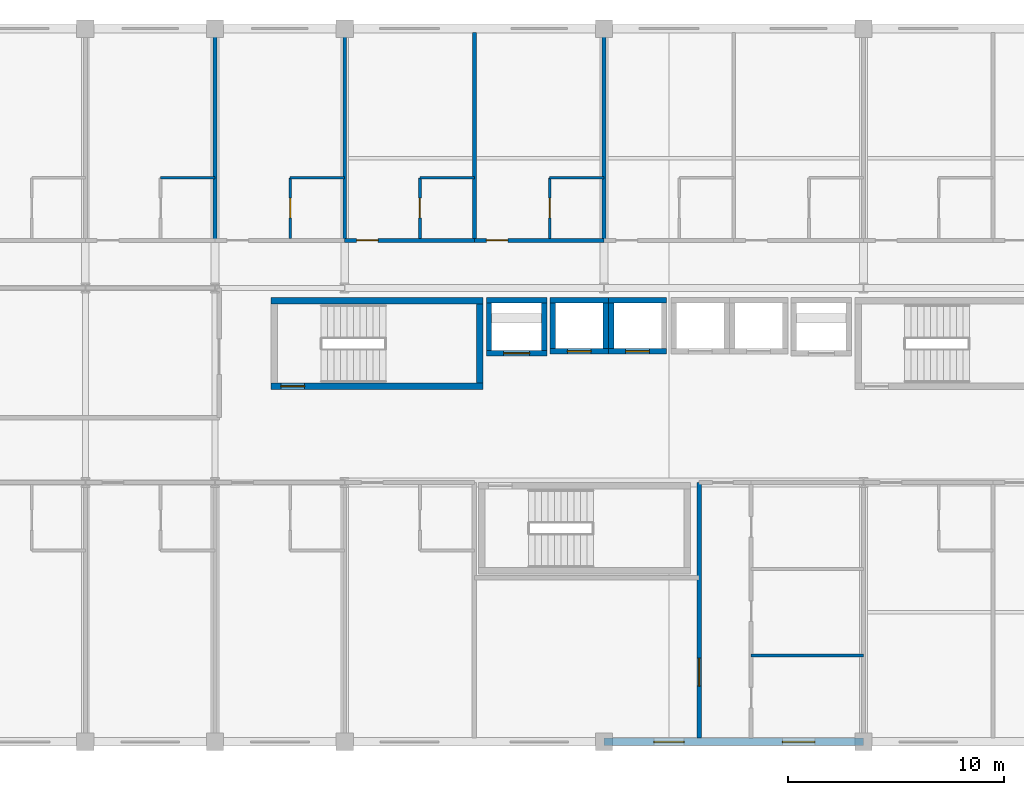
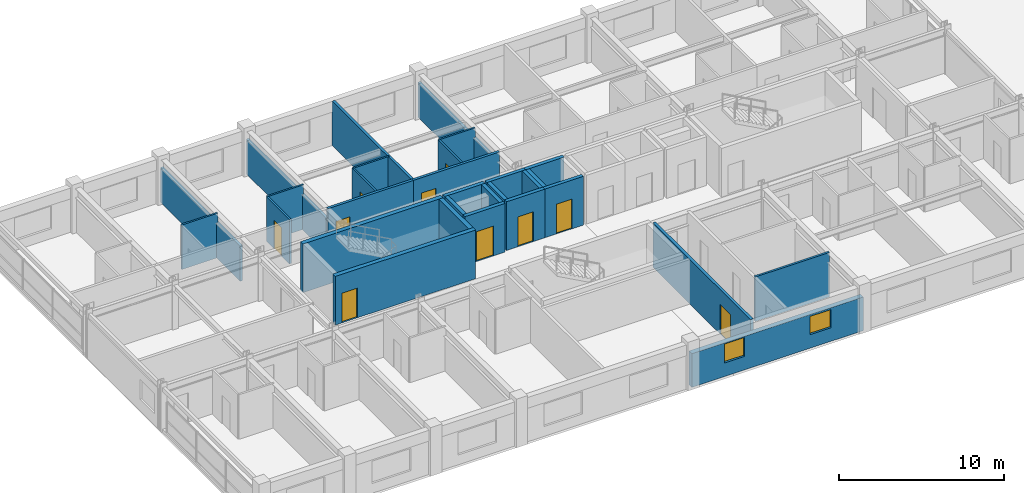
# One storey, part 22 of 27: 30 walls, 10 doors, 2 windows, 12 openings.
"""IFC4 building model written with IfcOpenShell, lengths in metres."""

from ifc_helpers import new_model, si_unit, direction, frame, frame_2d, origin, place, context, subcontext, project, spatial, rectangle, extrude, material, layer, layer_set, type_object, element, fill, save


model = new_model("IFC4")

# Units and contexts
model_context = context("Model", 3, precision=1e-05, world=origin(), true_north=direction((0.0, 1.0)))
body_context = subcontext(model_context, "Body", "Model", "MODEL_VIEW")
ifc_project = project(units=[si_unit("LENGTHUNIT", "METRE"), si_unit("AREAUNIT", "SQUARE_METRE"), si_unit("VOLUMEUNIT", "CUBIC_METRE"), si_unit("PLANEANGLEUNIT", "RADIAN"), si_unit("MASSUNIT", "GRAM", prefix="KILO")], contexts=[model_context])

# Site, building, storey
site_placement = place(None, origin())
site = spatial("IfcSite", under=ifc_project, at=site_placement, CompositionType="ELEMENT")
building_placement = place(site_placement, origin())
building = spatial("IfcBuilding", under=site, at=building_placement, Name="Kaldorvane Square Convention Centre", CompositionType="ELEMENT")
storey_placement = place(building_placement, frame((0.0, 0.0, 38.399993896484375)))
storey = spatial("IfcBuildingStorey", under=building, at=storey_placement, Name="L08", CompositionType="ELEMENT", Elevation=38.399993896484375)

# Wall
ifc_material_1 = material(Name="Fire-Rated Gypsum Board on Acoustic Steel Studs", Category="steel")
ifc_layer_1 = layer(ifc_material_1, 0.125)
ifc_layer_set_1 = layer_set([ifc_layer_1], Name="Fire-Rated Gypsum Board on Acoustic Steel Studs")
wall_type_1 = type_object("IfcWallType", Name="WL-BATH-125", PredefinedType="PARTITIONING", material=ifc_layer_set_1)
wall_1_placement = place(storey_placement, frame((33.47999572753906, 110.10000610351562, 0.0), z_axis=(0.0, 0.0, 1.0), x_axis=(1.0, 0.0, 0.0)))
element("IfcWall", 1, at=wall_1_placement, inside=storey, type_object=wall_type_1, Name="En-Suite 802 North Wall", PredefinedType="PARTITIONING", context=body_context, shape_type="SweptSolid", body=[
    extrude(rectangle(XDim=2.5200042724609375, YDim=0.125, at=frame_2d((1.260009765625, 0.0))), origin(), (0.0, 0.0, 1.0), 3.290008544921875),
])

# Wall, opening, door
wall_2_placement = place(storey_placement, frame((39.47999572753906, 107.28999328613281, 0.0), z_axis=(0.0, 0.0, 1.0), x_axis=(0.0, 1.0, 0.0)))
wall_2 = element("IfcWall", 2, at=wall_2_placement, inside=storey, type_object=wall_type_1, Name="En-Suite 803 West Wall", PredefinedType="PARTITIONING", context=body_context, shape_type="SweptSolid", body=[
    extrude(rectangle(XDim=2.8100128173828125, YDim=0.125, at=frame_2d((1.404998779296875, 0.0))), origin(), (0.0, 0.0, 1.0), 3.290008544921875),
])
opening_1_placement = place(wall_2_placement, frame((0.9499969482421875, 0.0, 0.0)))
opening_1 = element("IfcOpeningElement", 3, at=opening_1_placement, cuts=wall_2, Name="Opening ID-12", PredefinedType="OPENING", context=body_context, shape_type="SweptSolid", body=[
    extrude(rectangle(XDim=0.9199981689453125, YDim=2.100006103515625, at=frame_2d((0.459991455078125, 1.0500030517578125))), frame((0.0, 0.0774993896484375, 0.0), z_axis=(0.0, -1.0, 0.0), x_axis=(1.0, 0.0, 0.0)), (0.0, 0.0, 1.0), 0.154998779296875),
])
ifc_material_2 = material(Name="Architectural Solid-Core White Oak")
door_type_1 = type_object("IfcDoorType", Name="DR-BATH-0920X2100", OperationType="SINGLE_SWING_RIGHT", PredefinedType="DOOR", material=ifc_material_2)
door_1_placement = place(opening_1_placement, origin())
door_1 = element("IfcDoor", 4, at=door_1_placement, inside=storey, type_object=door_type_1, Name="En-Suite Bathroom 803 Door", OperationType="SINGLE_SWING_RIGHT", OverallHeight=2.100006103515625, OverallWidth=0.9199981689453125, PredefinedType="DOOR", context=body_context, shape_type="SweptSolid", body=[
    extrude(rectangle(XDim=0.9199981689453125, YDim=2.100006103515625, at=frame_2d((0.459991455078125, 1.0500030517578125))), frame((0.0, 0.024993896484375, 0.0), z_axis=(0.0, -1.0, 0.0), x_axis=(1.0, 0.0, 0.0)), (0.0, 0.0, 1.0), 0.0500030517578125),
])
fill(opening_1, door_1)

# Wall
wall_3_placement = place(storey_placement, frame((39.47999572753906, 110.10000610351562, 0.0), z_axis=(0.0, 0.0, 1.0), x_axis=(1.0, 0.0, 0.0)))
element("IfcWall", 5, at=wall_3_placement, inside=storey, type_object=wall_type_1, Name="En-Suite 803 North Wall", PredefinedType="PARTITIONING", context=body_context, shape_type="SweptSolid", body=[
    extrude(rectangle(XDim=2.5200042724609375, YDim=0.125, at=frame_2d((1.260009765625, 0.0))), origin(), (0.0, 0.0, 1.0), 3.290008544921875),
])

# Wall, opening, door
wall_4_placement = place(storey_placement, frame((45.47999572753906, 107.28999328613281, 0.0), z_axis=(0.0, 0.0, 1.0), x_axis=(0.0, 1.0, 0.0)))
wall_4 = element("IfcWall", 6, at=wall_4_placement, inside=storey, type_object=wall_type_1, Name="En-Suite 804 West Wall", PredefinedType="PARTITIONING", context=body_context, shape_type="SweptSolid", body=[
    extrude(rectangle(XDim=2.8100128173828125, YDim=0.125, at=frame_2d((1.404998779296875, 0.0))), origin(), (0.0, 0.0, 1.0), 3.290008544921875),
])
opening_2_placement = place(wall_4_placement, frame((0.9499969482421875, 0.0, 0.0)))
opening_2 = element("IfcOpeningElement", 7, at=opening_2_placement, cuts=wall_4, Name="Opening ID-12", PredefinedType="OPENING", context=body_context, shape_type="SweptSolid", body=[
    extrude(rectangle(XDim=0.9199981689453125, YDim=2.100006103515625, at=frame_2d((0.459991455078125, 1.0500030517578125))), frame((0.0, 0.0774993896484375, 0.0), z_axis=(0.0, -1.0, 0.0), x_axis=(1.0, 0.0, 0.0)), (0.0, 0.0, 1.0), 0.154998779296875),
])
door_2_placement = place(opening_2_placement, origin())
door_2 = element("IfcDoor", 8, at=door_2_placement, inside=storey, type_object=door_type_1, Name="En-Suite Bathroom 804 Door", OperationType="SINGLE_SWING_RIGHT", OverallHeight=2.100006103515625, OverallWidth=0.9199981689453125, PredefinedType="DOOR", context=body_context, shape_type="SweptSolid", body=[
    extrude(rectangle(XDim=0.9199981689453125, YDim=2.100006103515625, at=frame_2d((0.459991455078125, 1.0500030517578125))), frame((0.0, 0.024993896484375, 0.0), z_axis=(0.0, -1.0, 0.0), x_axis=(1.0, 0.0, 0.0)), (0.0, 0.0, 1.0), 0.0500030517578125),
])
fill(opening_2, door_2)

# Wall
wall_5_placement = place(storey_placement, frame((45.47999572753906, 110.10000610351562, 0.0), z_axis=(0.0, 0.0, 1.0), x_axis=(1.0, 0.0, 0.0)))
element("IfcWall", 9, at=wall_5_placement, inside=storey, type_object=wall_type_1, Name="En-Suite 804 North Wall", PredefinedType="PARTITIONING", context=body_context, shape_type="SweptSolid", body=[
    extrude(rectangle(XDim=2.5200042724609375, YDim=0.125, at=frame_2d((1.260009765625, 0.0))), origin(), (0.0, 0.0, 1.0), 3.290008544921875),
])

# Wall, opening, door
wall_6_placement = place(storey_placement, frame((51.47999572753906, 107.28999328613281, 0.0), z_axis=(0.0, 0.0, 1.0), x_axis=(0.0, 1.0, 0.0)))
wall_6 = element("IfcWall", 10, at=wall_6_placement, inside=storey, type_object=wall_type_1, Name="En-Suite 805 West Wall", PredefinedType="PARTITIONING", context=body_context, shape_type="SweptSolid", body=[
    extrude(rectangle(XDim=2.8100128173828125, YDim=0.125, at=frame_2d((1.404998779296875, 0.0))), origin(), (0.0, 0.0, 1.0), 3.290008544921875),
])
opening_3_placement = place(wall_6_placement, frame((0.9499969482421875, 0.0, 0.0)))
opening_3 = element("IfcOpeningElement", 11, at=opening_3_placement, cuts=wall_6, Name="Opening ID-12", PredefinedType="OPENING", context=body_context, shape_type="SweptSolid", body=[
    extrude(rectangle(XDim=0.9199981689453125, YDim=2.100006103515625, at=frame_2d((0.459991455078125, 1.0500030517578125))), frame((0.0, 0.0774993896484375, 0.0), z_axis=(0.0, -1.0, 0.0), x_axis=(1.0, 0.0, 0.0)), (0.0, 0.0, 1.0), 0.154998779296875),
])
door_3_placement = place(opening_3_placement, origin())
door_3 = element("IfcDoor", 12, at=door_3_placement, inside=storey, type_object=door_type_1, Name="En-Suite Bathroom 805 Door", OperationType="SINGLE_SWING_RIGHT", OverallHeight=2.100006103515625, OverallWidth=0.9199981689453125, PredefinedType="DOOR", context=body_context, shape_type="SweptSolid", body=[
    extrude(rectangle(XDim=0.9199981689453125, YDim=2.100006103515625, at=frame_2d((0.459991455078125, 1.0500030517578125))), frame((0.0, 0.024993896484375, 0.0), z_axis=(0.0, -1.0, 0.0), x_axis=(1.0, 0.0, 0.0)), (0.0, 0.0, 1.0), 0.0500030517578125),
])
fill(opening_3, door_3)

# Wall
wall_7_placement = place(storey_placement, frame((51.47999572753906, 110.10000610351562, 0.0), z_axis=(0.0, 0.0, 1.0), x_axis=(1.0, 0.0, 0.0)))
element("IfcWall", 13, at=wall_7_placement, inside=storey, type_object=wall_type_1, Name="En-Suite 805 North Wall", PredefinedType="PARTITIONING", context=body_context, shape_type="SweptSolid", body=[
    extrude(rectangle(XDim=2.5200042724609375, YDim=0.125, at=frame_2d((1.260009765625, 0.0))), origin(), (0.0, 0.0, 1.0), 3.290008544921875),
])

# Wall, opening, door
ifc_layer_2 = layer(ifc_material_1, 0.1999969482421875)
ifc_layer_set_2 = layer_set([ifc_layer_2], Name="Fire-Rated Gypsum Board on Acoustic Steel Studs")
wall_type_2 = type_object("IfcWallType", Name="WL-CORR-200", PredefinedType="PARTITIONING", material=ifc_layer_set_2)
wall_8_placement = place(storey_placement, frame((58.399993896484375, 84.17500305175781, 0.0), z_axis=(0.0, 0.0, 1.0), x_axis=(0.0, 1.0, 0.0)))
wall_8 = element("IfcWall", 14, at=wall_8_placement, inside=storey, type_object=wall_type_2, Name="Restroom Vestibule West Wall (L08)", PredefinedType="PARTITIONING", context=body_context, shape_type="SweptSolid", body=[
    extrude(rectangle(XDim=11.824996948242188, YDim=0.1999969482421875, at=frame_2d((5.912506103515625, 0.0))), origin(), (0.0, 0.0, 1.0), 3.290008544921875),
])
opening_4_placement = place(wall_8_placement, frame((2.399993896484375, 0.0, 0.0)))
opening_4 = element("IfcOpeningElement", 15, at=opening_4_placement, cuts=wall_8, Name="Opening ID-09", PredefinedType="OPENING", context=body_context, shape_type="SweptSolid", body=[
    extrude(rectangle(XDim=1.3000030517578125, YDim=2.1999969482421875, at=frame_2d((0.649993896484375, 1.100006103515625))), frame((0.0, 0.114990234375, 0.0), z_axis=(0.0, -1.0, 0.0), x_axis=(1.0, 0.0, 0.0)), (0.0, 0.0, 1.0), 0.2299957275390625),
])
ifc_material_3 = material(Name="Insulated Hollow Metal Steel", Category="steel")
door_type_2 = type_object("IfcDoorType", Name="DR-SVC-1300X2200", OperationType="DOUBLE_DOOR_SINGLE_SWING", PredefinedType="DOOR", material=ifc_material_3)
door_4_placement = place(opening_4_placement, origin())
door_4 = element("IfcDoor", 16, at=door_4_placement, inside=storey, type_object=door_type_2, Name="Housekeeping and Linen Room (L08) Door", OperationType="DOUBLE_DOOR_SINGLE_SWING", OverallHeight=2.1999969482421875, OverallWidth=1.3000030517578125, PredefinedType="DOOR", context=body_context, shape_type="SweptSolid", body=[
    extrude(rectangle(XDim=1.3000030517578125, YDim=2.1999969482421875, at=frame_2d((0.649993896484375, 1.100006103515625))), frame((0.0, 0.024993896484375, 0.0), z_axis=(0.0, -1.0, 0.0), x_axis=(1.0, 0.0, 0.0)), (0.0, 0.0, 1.0), 0.0500030517578125),
])
fill(opening_4, door_4)

# Wall, openings, windows
ifc_material_4 = material(Name="Concrete f'c = 42 MPa (Normalweight)", Category="concrete")
ifc_layer_3 = layer(ifc_material_4, 0.350006103515625)
ifc_layer_set_3 = layer_set([ifc_layer_3], Name="Concrete f'c = 42 MPa (Normalweight)")
wall_type_3 = type_object("IfcWallType", Name="WL-EXT-350", PredefinedType="STANDARD", material=ifc_layer_set_3)
wall_9_placement = place(storey_placement, frame((54.0, 84.0, 0.0), z_axis=(0.0, 0.0, 1.0), x_axis=(1.0, 0.0, 0.0)))
wall_9 = element("IfcWall", 17, at=wall_9_placement, inside=storey, type_object=wall_type_3, Name="Hotel S Brutalist Facade Wall (L08)", PredefinedType="STANDARD", context=body_context, shape_type="SweptSolid", body=[
    extrude(rectangle(XDim=12.0, YDim=0.350006103515625, at=frame_2d((6.0, 0.0))), origin(), (0.0, 0.0, 1.0), 2.4860076904296875),
])
opening_5_placement = place(wall_9_placement, frame((2.3000030517578125, 0.0, 1.0)))
opening_5 = element("IfcOpeningElement", 18, at=opening_5_placement, cuts=wall_9, Name="Opening W-13", PredefinedType="OPENING", context=body_context, shape_type="SweptSolid", body=[
    extrude(rectangle(XDim=1.399993896484375, YDim=1.399993896484375, at=frame_2d((0.6999969482421875, 0.6999969482421875))), frame((0.0, 0.19000244140625, 0.0), z_axis=(0.0, -1.0, 0.0), x_axis=(1.0, 0.0, 0.0)), (0.0, 0.0, 1.0), 0.3800048828125),
])
opening_6_placement = place(wall_9_placement, frame((8.25, 0.0, 1.0)))
opening_6 = element("IfcOpeningElement", 19, at=opening_6_placement, cuts=wall_9, Name="Opening W-14", PredefinedType="OPENING", context=body_context, shape_type="SweptSolid", body=[
    extrude(rectangle(XDim=1.5, YDim=1.350006103515625, at=frame_2d((0.75, 0.6750030517578125))), frame((0.0, 0.19000244140625, 0.0), z_axis=(0.0, -1.0, 0.0), x_axis=(1.0, 0.0, 0.0)), (0.0, 0.0, 1.0), 0.3800048828125),
])
ifc_material_5 = material(Name="Anodized Aluminum and Low-E Insulated Glazing", Category="aluminium")
window_type_1 = type_object("IfcWindowType", Name="WN-HTL-1400X1400", PartitioningType="SINGLE_PANEL", PredefinedType="WINDOW", material=ifc_material_5)
window_1_placement = place(opening_5_placement, origin())
window_1 = element("IfcWindow", 20, at=window_1_placement, inside=storey, type_object=window_type_1, Name="Hotel S Window (L08)", OverallHeight=1.399993896484375, OverallWidth=1.399993896484375, PartitioningType="SINGLE_PANEL", PredefinedType="WINDOW", context=body_context, shape_type="SweptSolid", body=[
    extrude(rectangle(XDim=1.399993896484375, YDim=1.399993896484375, at=frame_2d((0.6999969482421875, 0.6999969482421875))), frame((0.0, 0.029998779296875, 0.0), z_axis=(0.0, -1.0, 0.0), x_axis=(1.0, 0.0, 0.0)), (0.0, 0.0, 1.0), 0.05999755859375),
])
fill(opening_5, window_1)
window_type_2 = type_object("IfcWindowType", Name="WN-HTL-1500X1350", PartitioningType="SINGLE_PANEL", PredefinedType="WINDOW", material=ifc_material_5)
window_2_placement = place(opening_6_placement, origin())
window_2 = element("IfcWindow", 21, at=window_2_placement, inside=storey, type_object=window_type_2, Name="Hotel S Window (L08)", OverallHeight=1.350006103515625, OverallWidth=1.5, PartitioningType="SINGLE_PANEL", PredefinedType="WINDOW", context=body_context, shape_type="SweptSolid", body=[
    extrude(rectangle(XDim=1.5, YDim=1.350006103515625, at=frame_2d((0.75, 0.6750030517578125))), frame((0.0, 0.029998779296875, 0.0), z_axis=(0.0, -1.0, 0.0), x_axis=(1.0, 0.0, 0.0)), (0.0, 0.0, 1.0), 0.05999755859375),
])
fill(opening_6, window_2)

# Wall
ifc_layer_4 = layer(ifc_material_1, 0.149993896484375)
ifc_layer_set_4 = layer_set([ifc_layer_4], Name="Fire-Rated Gypsum Board on Acoustic Steel Studs")
wall_type_4 = type_object("IfcWallType", Name="WL-PART-150", PredefinedType="PARTITIONING", material=ifc_layer_set_4)
wall_10_placement = place(storey_placement, frame((60.80000305175781, 88.0, 0.0), z_axis=(0.0, 0.0, 1.0), x_axis=(1.0, 0.0, 0.0)))
element("IfcWall", 22, at=wall_10_placement, inside=storey, type_object=wall_type_4, Name="Restroom Partition 1 (L08)", PredefinedType="PARTITIONING", context=body_context, shape_type="SweptSolid", body=[
    extrude(rectangle(XDim=5.1999969482421875, YDim=0.149993896484375, at=frame_2d((2.600006103515625, 0.0))), origin(), (0.0, 0.0, 1.0), 3.290008544921875),
])

# Wall, opening, door
ifc_material_6 = material(Name="Concrete f'c = 55 MPa (Normalweight)", Category="concrete")
ifc_layer_5 = layer(ifc_material_6, 0.3000030517578125)
ifc_layer_set_5 = layer_set([ifc_layer_5], Name="Concrete f'c = 55 MPa (Normalweight)")
wall_type_5 = type_object("IfcWallType", Name="WL-SHAFT-300", PredefinedType="SHEAR", material=ifc_layer_set_5)
wall_11_placement = place(storey_placement, frame((38.600006103515625, 100.46000671386719, 0.0), z_axis=(0.0, 0.0, 1.0), x_axis=(1.0, 0.0, 0.0)))
wall_11 = element("IfcWall", 23, at=wall_11_placement, inside=storey, type_object=wall_type_5, Name="Core Enclosure Wall stair:ST-T1-S (L08)", PredefinedType="SHEAR", context=body_context, shape_type="SweptSolid", body=[
    extrude(rectangle(XDim=9.79998779296875, YDim=0.3000030517578125, at=frame_2d((4.899993896484375, 0.0))), origin(), (0.0, 0.0, 1.0), 3.600006103515625),
])
opening_7_placement = place(wall_11_placement, frame((0.4499969482421875, 0.0, 0.0)))
opening_7 = element("IfcOpeningElement", 24, at=opening_7_placement, cuts=wall_11, Name="Opening FD90-S1", PredefinedType="OPENING", context=body_context, shape_type="SweptSolid", body=[
    extrude(rectangle(XDim=1.100006103515625, YDim=2.1999969482421875, at=frame_2d((0.5500030517578125, 1.100006103515625))), frame((0.0, 0.165008544921875, 0.0), z_axis=(0.0, -1.0, 0.0), x_axis=(1.0, 0.0, 0.0)), (0.0, 0.0, 1.0), 0.3300018310546875),
])
ifc_material_7 = material(Name="Fire-Rated Hollow Metal Steel", Category="steel")
door_type_3 = type_object("IfcDoorType", Name="DR-STAIR-1100", OperationType="SINGLE_SWING_RIGHT", PredefinedType="DOOR", material=ifc_material_7)
door_5_placement = place(opening_7_placement, origin())
door_5 = element("IfcDoor", 25, at=door_5_placement, inside=storey, type_object=door_type_3, Name="Tower Exit Stair T1 Fire Door (L08)", OperationType="SINGLE_SWING_RIGHT", OverallHeight=2.1999969482421875, OverallWidth=1.100006103515625, PredefinedType="DOOR", context=body_context, shape_type="SweptSolid", body=[
    extrude(rectangle(XDim=1.100006103515625, YDim=2.1999969482421875, at=frame_2d((0.5500030517578125, 1.100006103515625))), frame((0.0, 0.024993896484375, 0.0), z_axis=(0.0, -1.0, 0.0), x_axis=(1.0, 0.0, 0.0)), (0.0, 0.0, 1.0), 0.0500030517578125),
])
fill(opening_7, door_5)

# Walls
wall_12_placement = place(storey_placement, frame((48.399993896484375, 104.39999389648438, 0.0), z_axis=(0.0, 0.0, 1.0), x_axis=(-1.0, 0.0, 0.0)))
element("IfcWall", 26, at=wall_12_placement, inside=storey, type_object=wall_type_5, Name="Core Enclosure Wall stair:ST-T1-N (L08)", PredefinedType="SHEAR", context=body_context, shape_type="SweptSolid", body=[
    extrude(rectangle(XDim=9.79998779296875, YDim=0.3000030517578125, at=frame_2d((4.899993896484375, 0.0))), origin(), (0.0, 0.0, 1.0), 3.600006103515625),
])
wall_13_placement = place(storey_placement, frame((48.25, 100.61000061035156, 0.0), z_axis=(0.0, 0.0, 1.0), x_axis=(0.0, 1.0, 0.0)))
element("IfcWall", 27, at=wall_13_placement, inside=storey, type_object=wall_type_5, Name="Core Enclosure Wall stair:ST-T1-E (L08)", PredefinedType="SHEAR", context=body_context, shape_type="SweptSolid", body=[
    extrude(rectangle(XDim=3.6399993896484375, YDim=0.3000030517578125, at=frame_2d((1.82000732421875, 0.0))), origin(), (0.0, 0.0, 1.0), 3.600006103515625),
])

# Wall, opening, door
wall_14_placement = place(storey_placement, frame((48.55000305175781, 101.97500610351562, 0.0), z_axis=(0.0, 0.0, 1.0), x_axis=(1.0, 0.0, 0.0)))
wall_14 = element("IfcWall", 28, at=wall_14_placement, inside=storey, type_object=wall_type_5, Name="Core Enclosure Wall lift:FSAE-01-S (L08)", PredefinedType="SHEAR", context=body_context, shape_type="SweptSolid", body=[
    extrude(rectangle(XDim=2.8000030517578125, YDim=0.25, at=frame_2d((1.399993896484375, 0.0))), origin(), (0.0, 0.0, 1.0), 3.600006103515625),
])
opening_8_placement = place(wall_14_placement, frame((0.8000030517578125, 0.0, 0.0)))
opening_8 = element("IfcOpeningElement", 29, at=opening_8_placement, cuts=wall_14, Name="Opening LD-02", PredefinedType="OPENING", context=body_context, shape_type="SweptSolid", body=[
    extrude(rectangle(XDim=1.1999969482421875, YDim=2.1999969482421875, at=frame_2d((0.600006103515625, 1.100006103515625))), frame((0.0, 0.1399993896484375, 0.0), z_axis=(0.0, -1.0, 0.0), x_axis=(1.0, 0.0, 0.0)), (0.0, 0.0, 1.0), 0.279998779296875),
])
ifc_material_8 = material(Name="Stainless Steel Elevator Door Assembly", Category="steel")
door_type_4 = type_object("IfcDoorType", Name="DR-LIFT-1200", OperationType="DOUBLE_DOOR_SLIDING", PredefinedType="DOOR", material=ifc_material_8)
door_6_placement = place(opening_8_placement, origin())
door_6 = element("IfcDoor", 30, at=door_6_placement, inside=storey, type_object=door_type_4, Name="Elevator Landing Door FSAE-01 (L08)", OperationType="DOUBLE_DOOR_SLIDING", OverallHeight=2.1999969482421875, OverallWidth=1.1999969482421875, PredefinedType="DOOR", context=body_context, shape_type="SweptSolid", body=[
    extrude(rectangle(XDim=1.1999969482421875, YDim=2.1999969482421875, at=frame_2d((0.600006103515625, 1.100006103515625))), frame((0.0, 0.024993896484375, 0.0), z_axis=(0.0, -1.0, 0.0), x_axis=(1.0, 0.0, 0.0)), (0.0, 0.0, 1.0), 0.0500030517578125),
])
fill(opening_8, door_6)

# Walls
wall_15_placement = place(storey_placement, frame((51.350006103515625, 104.42500305175781, 0.0), z_axis=(0.0, 0.0, 1.0), x_axis=(-1.0, 0.0, 0.0)))
element("IfcWall", 31, at=wall_15_placement, inside=storey, type_object=wall_type_5, Name="Core Enclosure Wall lift:FSAE-01-N (L08)", PredefinedType="SHEAR", context=body_context, shape_type="SweptSolid", body=[
    extrude(rectangle(XDim=2.8000030517578125, YDim=0.25, at=frame_2d((1.399993896484375, 0.0))), origin(), (0.0, 0.0, 1.0), 3.600006103515625),
])
for number, where, z_axis, x_axis, name in (
    (32, (48.67500305175781, 104.30000305175781, 0.0), (0.0, 0.0, 1.0), (0.0, -1.0, 0.0), "Core Enclosure Wall lift:FSAE-01-W (L08)"),
    (33, (51.225006103515625, 102.10000610351562, 0.0), (0.0, 0.0, 1.0), (0.0, 1.0, 0.0), "Core Enclosure Wall lift:FSAE-01-E (L08)"),
):
    element("IfcWall", number, at=place(storey_placement, frame(where, z_axis=z_axis, x_axis=x_axis)), inside=storey, type_object=wall_type_5, Name=name, PredefinedType="SHEAR", context=body_context, shape_type="SweptSolid", body=[
        extrude(rectangle(XDim=2.1999969482421875, YDim=0.25, at=frame_2d((1.100006103515625, 0.0))), origin(), (0.0, 0.0, 1.0), 3.600006103515625),
    ])

# Wall, opening, door
wall_16_placement = place(storey_placement, frame((51.5, 102.07499694824219, 0.0), z_axis=(0.0, 0.0, 1.0), x_axis=(1.0, 0.0, 0.0)))
wall_16 = element("IfcWall", 34, at=wall_16_placement, inside=storey, type_object=wall_type_5, Name="Core Enclosure Wall lift:EL-P1-S (L08)", PredefinedType="SHEAR", context=body_context, shape_type="SweptSolid", body=[
    extrude(rectangle(XDim=2.6999969482421875, YDim=0.25, at=frame_2d((1.350006103515625, 0.0))), origin(), (0.0, 0.0, 1.0), 3.600006103515625),
])
opening_9_placement = place(wall_16_placement, frame((0.8000030517578125, 0.0, 0.0)))
opening_9 = element("IfcOpeningElement", 35, at=opening_9_placement, cuts=wall_16, Name="Opening LD-01", PredefinedType="OPENING", context=body_context, shape_type="SweptSolid", body=[
    extrude(rectangle(XDim=1.100006103515625, YDim=2.1999969482421875, at=frame_2d((0.5500030517578125, 1.100006103515625))), frame((0.0, 0.1399993896484375, 0.0), z_axis=(0.0, -1.0, 0.0), x_axis=(1.0, 0.0, 0.0)), (0.0, 0.0, 1.0), 0.279998779296875),
])
door_type_5 = type_object("IfcDoorType", Name="DR-LIFT-1100", OperationType="DOUBLE_DOOR_SLIDING", PredefinedType="DOOR", material=ifc_material_8)
door_7_placement = place(opening_9_placement, origin())
door_7 = element("IfcDoor", 36, at=door_7_placement, inside=storey, type_object=door_type_5, Name="Elevator Landing Door EL-P1 (L08)", OperationType="DOUBLE_DOOR_SLIDING", OverallHeight=2.1999969482421875, OverallWidth=1.100006103515625, PredefinedType="DOOR", context=body_context, shape_type="SweptSolid", body=[
    extrude(rectangle(XDim=1.100006103515625, YDim=2.1999969482421875, at=frame_2d((0.5500030517578125, 1.100006103515625))), frame((0.0, 0.024993896484375, 0.0), z_axis=(0.0, -1.0, 0.0), x_axis=(1.0, 0.0, 0.0)), (0.0, 0.0, 1.0), 0.0500030517578125),
])
fill(opening_9, door_7)

# Walls
wall_17_placement = place(storey_placement, frame((54.19999694824219, 104.42500305175781, 0.0), z_axis=(0.0, 0.0, 1.0), x_axis=(-1.0, 0.0, 0.0)))
element("IfcWall", 37, at=wall_17_placement, inside=storey, type_object=wall_type_5, Name="Core Enclosure Wall lift:EL-P1-N (L08)", PredefinedType="SHEAR", context=body_context, shape_type="SweptSolid", body=[
    extrude(rectangle(XDim=2.6999969482421875, YDim=0.25, at=frame_2d((1.350006103515625, 0.0))), origin(), (0.0, 0.0, 1.0), 3.600006103515625),
])
for number, where, z_axis, x_axis, name in (
    (38, (51.625, 104.30000305175781, 0.0), (0.0, 0.0, 1.0), (0.0, -1.0, 0.0), "Core Enclosure Wall lift:EL-P1-W (L08)"),
    (39, (54.07499694824219, 102.19999694824219, 0.0), (0.0, 0.0, 1.0), (0.0, 1.0, 0.0), "Core Enclosure Wall lift:EL-P1-E (L08)"),
):
    element("IfcWall", number, at=place(storey_placement, frame(where, z_axis=z_axis, x_axis=x_axis)), inside=storey, type_object=wall_type_5, Name=name, PredefinedType="SHEAR", context=body_context, shape_type="SweptSolid", body=[
        extrude(rectangle(XDim=2.100006103515625, YDim=0.25, at=frame_2d((1.0500030517578125, 0.0))), origin(), (0.0, 0.0, 1.0), 3.600006103515625),
    ])

# Wall, opening, door
wall_18_placement = place(storey_placement, frame((54.19999694824219, 102.07499694824219, 0.0), z_axis=(0.0, 0.0, 1.0), x_axis=(1.0, 0.0, 0.0)))
wall_18 = element("IfcWall", 40, at=wall_18_placement, inside=storey, type_object=wall_type_5, Name="Core Enclosure Wall lift:EL-P2-S (L08)", PredefinedType="SHEAR", context=body_context, shape_type="SweptSolid", body=[
    extrude(rectangle(XDim=2.6999969482421875, YDim=0.25, at=frame_2d((1.350006103515625, 0.0))), origin(), (0.0, 0.0, 1.0), 3.600006103515625),
])
opening_10_placement = place(wall_18_placement, frame((0.8000030517578125, 0.0, 0.0)))
opening_10 = element("IfcOpeningElement", 41, at=opening_10_placement, cuts=wall_18, Name="Opening LD-01", PredefinedType="OPENING", context=body_context, shape_type="SweptSolid", body=[
    extrude(rectangle(XDim=1.100006103515625, YDim=2.1999969482421875, at=frame_2d((0.5500030517578125, 1.100006103515625))), frame((0.0, 0.1399993896484375, 0.0), z_axis=(0.0, -1.0, 0.0), x_axis=(1.0, 0.0, 0.0)), (0.0, 0.0, 1.0), 0.279998779296875),
])
door_8_placement = place(opening_10_placement, origin())
door_8 = element("IfcDoor", 42, at=door_8_placement, inside=storey, type_object=door_type_5, Name="Elevator Landing Door EL-P2 (L08)", OperationType="DOUBLE_DOOR_SLIDING", OverallHeight=2.1999969482421875, OverallWidth=1.100006103515625, PredefinedType="DOOR", context=body_context, shape_type="SweptSolid", body=[
    extrude(rectangle(XDim=1.100006103515625, YDim=2.1999969482421875, at=frame_2d((0.5500030517578125, 1.100006103515625))), frame((0.0, 0.024993896484375, 0.0), z_axis=(0.0, -1.0, 0.0), x_axis=(1.0, 0.0, 0.0)), (0.0, 0.0, 1.0), 0.0500030517578125),
])
fill(opening_10, door_8)

# Walls
wall_19_placement = place(storey_placement, frame((56.899993896484375, 104.42500305175781, 0.0), z_axis=(0.0, 0.0, 1.0), x_axis=(-1.0, 0.0, 0.0)))
element("IfcWall", 43, at=wall_19_placement, inside=storey, type_object=wall_type_5, Name="Core Enclosure Wall lift:EL-P2-N (L08)", PredefinedType="SHEAR", context=body_context, shape_type="SweptSolid", body=[
    extrude(rectangle(XDim=2.6999969482421875, YDim=0.25, at=frame_2d((1.350006103515625, 0.0))), origin(), (0.0, 0.0, 1.0), 3.600006103515625),
])
wall_20_placement = place(storey_placement, frame((54.32499694824219, 104.30000305175781, 0.0), z_axis=(0.0, 0.0, 1.0), x_axis=(0.0, -1.0, 0.0)))
element("IfcWall", 44, at=wall_20_placement, inside=storey, type_object=wall_type_5, Name="Core Enclosure Wall lift:EL-P2-W (L08)", PredefinedType="SHEAR", context=body_context, shape_type="SweptSolid", body=[
    extrude(rectangle(XDim=2.100006103515625, YDim=0.25, at=frame_2d((1.0500030517578125, 0.0))), origin(), (0.0, 0.0, 1.0), 3.600006103515625),
])
ifc_layer_6 = layer(ifc_material_1, 0.17999267578125)
ifc_layer_set_6 = layer_set([ifc_layer_6], Name="Fire-Rated Gypsum Board on Acoustic Steel Studs")
wall_type_6 = type_object("IfcWallType", Name="WL-UNIT-180", PredefinedType="PARTITIONING", material=ifc_layer_set_6)
for number, where, z_axis, x_axis, name in (
    (45, (36.0, 107.19999694824219, 0.0), (0.0, 0.0, 1.0), (0.0, 1.0, 0.0), "Guestroom Demising Wall 802"),
    (46, (42.0, 107.19999694824219, 0.0), (0.0, 0.0, 1.0), (0.0, 1.0, 0.0), "Guestroom Demising Wall 803"),
):
    element("IfcWall", number, at=place(storey_placement, frame(where, z_axis=z_axis, x_axis=x_axis)), inside=storey, type_object=wall_type_6, Name=name, PredefinedType="PARTITIONING", context=body_context, shape_type="SweptSolid", body=[
        extrude(rectangle(XDim=9.625, YDim=0.17999267578125, at=frame_2d((4.8125, 0.0))), origin(), (0.0, 0.0, 1.0), 2.5900115966796875),
    ])

# Wall, opening, door
wall_21_placement = place(storey_placement, frame((42.0, 107.19999694824219, 0.0), z_axis=(0.0, 0.0, 1.0), x_axis=(1.0, 0.0, 0.0)))
wall_21 = element("IfcWall", 47, at=wall_21_placement, inside=storey, type_object=wall_type_6, Name="Hotel Guest Room 804 Corridor Wall", PredefinedType="PARTITIONING", context=body_context, shape_type="SweptSolid", body=[
    extrude(rectangle(XDim=6.0, YDim=0.17999267578125, at=frame_2d((3.0, 0.0))), origin(), (0.0, 0.0, 1.0), 3.290008544921875),
])
opening_11_placement = place(wall_21_placement, frame((0.5500030517578125, 0.0, 0.0)))
opening_11 = element("IfcOpeningElement", 48, at=opening_11_placement, cuts=wall_21, Name="Opening ID-10", PredefinedType="OPENING", context=body_context, shape_type="SweptSolid", body=[
    extrude(rectangle(XDim=1.0, YDim=2.149993896484375, at=frame_2d((0.5, 1.0749969482421875))), frame((0.0, 0.1049957275390625, 0.0), z_axis=(0.0, -1.0, 0.0), x_axis=(1.0, 0.0, 0.0)), (0.0, 0.0, 1.0), 0.209991455078125),
])
door_type_6 = type_object("IfcDoorType", Name="DR-GUEST-1000X2150", OperationType="SINGLE_SWING_LEFT", PredefinedType="DOOR", material=ifc_material_2)
door_9_placement = place(opening_11_placement, origin())
door_9 = element("IfcDoor", 49, at=door_9_placement, inside=storey, type_object=door_type_6, Name="Hotel Guest Room 804 Entry Door", OperationType="SINGLE_SWING_LEFT", OverallHeight=2.149993896484375, OverallWidth=1.0, PredefinedType="DOOR", context=body_context, shape_type="SweptSolid", body=[
    extrude(rectangle(XDim=1.0, YDim=2.149993896484375, at=frame_2d((0.5, 1.0749969482421875))), frame((0.0, 0.024993896484375, 0.0), z_axis=(0.0, -1.0, 0.0), x_axis=(1.0, 0.0, 0.0)), (0.0, 0.0, 1.0), 0.0500030517578125),
])
fill(opening_11, door_9)

# Wall
wall_22_placement = place(storey_placement, frame((48.0, 107.19999694824219, 0.0), z_axis=(0.0, 0.0, 1.0), x_axis=(0.0, 1.0, 0.0)))
element("IfcWall", 50, at=wall_22_placement, inside=storey, type_object=wall_type_6, Name="Guestroom Demising Wall 804", PredefinedType="PARTITIONING", context=body_context, shape_type="SweptSolid", body=[
    extrude(rectangle(XDim=9.625, YDim=0.17999267578125, at=frame_2d((4.8125, 0.0))), origin(), (0.0, 0.0, 1.0), 3.290008544921875),
])

# Wall, opening, door
wall_23_placement = place(storey_placement, frame((48.0, 107.19999694824219, 0.0), z_axis=(0.0, 0.0, 1.0), x_axis=(1.0, 0.0, 0.0)))
wall_23 = element("IfcWall", 51, at=wall_23_placement, inside=storey, type_object=wall_type_6, Name="Hotel Guest Room 805 Corridor Wall", PredefinedType="PARTITIONING", context=body_context, shape_type="SweptSolid", body=[
    extrude(rectangle(XDim=6.0, YDim=0.17999267578125, at=frame_2d((3.0, 0.0))), origin(), (0.0, 0.0, 1.0), 3.290008544921875),
])
opening_12_placement = place(wall_23_placement, frame((0.5500030517578125, 0.0, 0.0)))
opening_12 = element("IfcOpeningElement", 52, at=opening_12_placement, cuts=wall_23, Name="Opening ID-10", PredefinedType="OPENING", context=body_context, shape_type="SweptSolid", body=[
    extrude(rectangle(XDim=1.0, YDim=2.149993896484375, at=frame_2d((0.5, 1.0749969482421875))), frame((0.0, 0.1049957275390625, 0.0), z_axis=(0.0, -1.0, 0.0), x_axis=(1.0, 0.0, 0.0)), (0.0, 0.0, 1.0), 0.209991455078125),
])
door_10_placement = place(opening_12_placement, origin())
door_10 = element("IfcDoor", 53, at=door_10_placement, inside=storey, type_object=door_type_6, Name="Hotel Guest Room 805 Entry Door", OperationType="SINGLE_SWING_LEFT", OverallHeight=2.149993896484375, OverallWidth=1.0, PredefinedType="DOOR", context=body_context, shape_type="SweptSolid", body=[
    extrude(rectangle(XDim=1.0, YDim=2.149993896484375, at=frame_2d((0.5, 1.0749969482421875))), frame((0.0, 0.024993896484375, 0.0), z_axis=(0.0, -1.0, 0.0), x_axis=(1.0, 0.0, 0.0)), (0.0, 0.0, 1.0), 0.0500030517578125),
])
fill(opening_12, door_10)

# Wall
wall_24_placement = place(storey_placement, frame((54.0, 107.19999694824219, 0.0), z_axis=(0.0, 0.0, 1.0), x_axis=(0.0, 1.0, 0.0)))
element("IfcWall", 54, at=wall_24_placement, inside=storey, type_object=wall_type_6, Name="Guestroom Demising Wall 805", PredefinedType="PARTITIONING", context=body_context, shape_type="SweptSolid", body=[
    extrude(rectangle(XDim=9.625, YDim=0.17999267578125, at=frame_2d((4.8125, 0.0))), origin(), (0.0, 0.0, 1.0), 2.5900115966796875),
])

save(model, "model.ifc")
